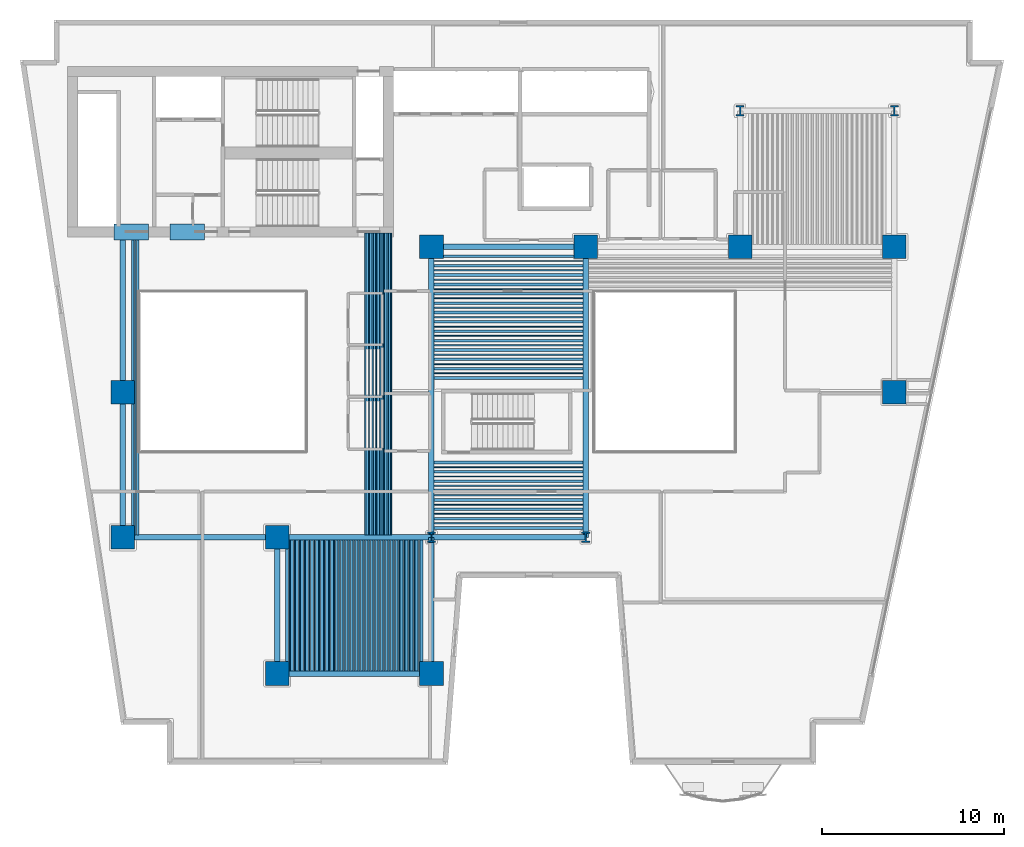
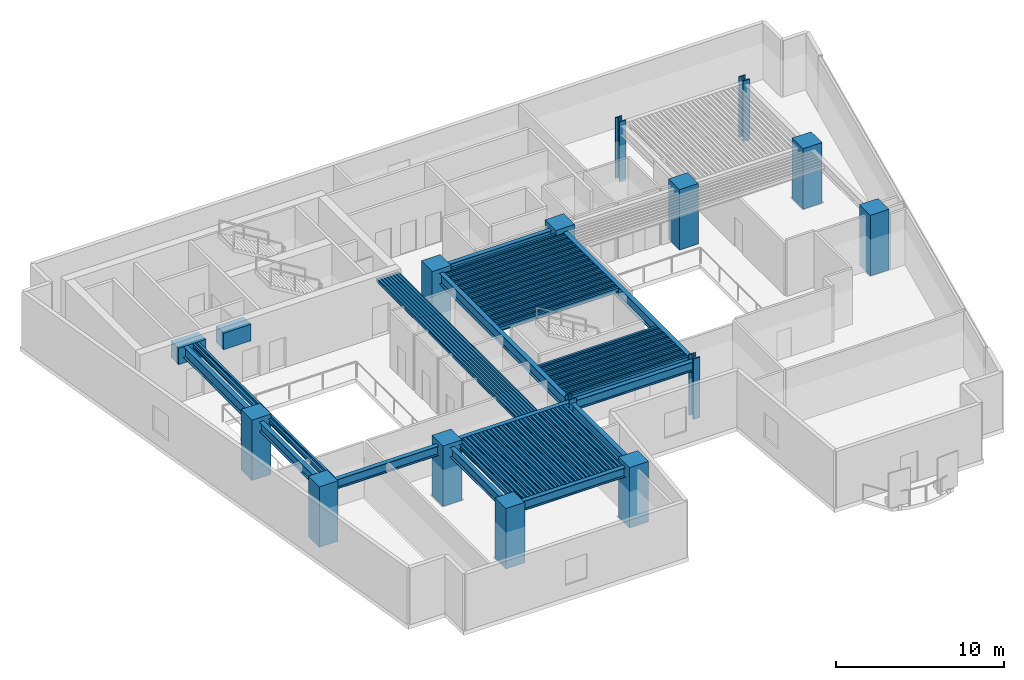
# One storey, part 1 of 11: 128 beams, 14 columns.
"""IFC4 building model written with IfcOpenShell, lengths in metres."""

from ifc_helpers import new_model, si_unit, direction, frame, origin, origin_2d, place, context, subcontext, project, spatial, rectangle, hollow_rectangle, i_section, extrude, material, material_profile, profile_set, type_object, element, save


model = new_model("IFC4")

# Units and contexts
model_context = context("Model", 3, precision=1e-05, world=origin(), true_north=direction((0.0, 1.0)))
body_context = subcontext(model_context, "Body", "Model", "MODEL_VIEW")
ifc_project = project(units=[si_unit("LENGTHUNIT", "METRE"), si_unit("AREAUNIT", "SQUARE_METRE"), si_unit("VOLUMEUNIT", "CUBIC_METRE"), si_unit("PLANEANGLEUNIT", "RADIAN"), si_unit("MASSUNIT", "GRAM", prefix="KILO")], contexts=[model_context])

# Site, building, storey
site_placement = place(None, origin())
site = spatial("IfcSite", under=ifc_project, at=site_placement, CompositionType="ELEMENT")
building_placement = place(site_placement, origin())
building = spatial("IfcBuilding", under=site, at=building_placement, Name="Caeloran Harvest Quay", CompositionType="ELEMENT")
storey_placement = place(building_placement, frame((0.0, 0.0, 44.60009765625)))
storey = spatial("IfcBuildingStorey", under=building, at=storey_placement, Name="L10", CompositionType="ELEMENT", Elevation=44.60009765625)

# Columns
ifc_material_1 = material(Name="Concrete C80/95", Category="concrete")
ifc_material_profile_1 = material_profile(ifc_material_1, rectangle(XDim=1.300048828125, YDim=1.300048828125, at=origin_2d()), Name="RC 1300x1300")
ifc_profile_set_1 = profile_set([ifc_material_profile_1], Name="Concrete C80/95")
column_type_1 = type_object("IfcColumnType", Name="COL-MC-2-RC_1300x1300", PredefinedType="COLUMN", material=ifc_profile_set_1)
for number, where, z_axis, x_axis, name in (
    (1, (8.5, 15.0, 0.0), (0.0, 0.0, 1.0), (1.0, 0.0, 0.0), "L10 Structural Column (8.5, 15.0)"),
    (2, (8.5, 23.0, 0.0), (0.0, 0.0, 1.0), (1.0, 0.0, 0.0), "L10 Structural Column (8.5, 23.0)"),
    (3, (17.0, 7.5, 0.0), (0.0, 0.0, 1.0), (1.0, 0.0, 0.0), "L10 Structural Column (17.0, 7.5)"),
    (4, (17.0, 15.0, 0.0), (0.0, 0.0, 1.0), (1.0, 0.0, 0.0), "L10 Structural Column (17.0, 15.0)"),
    (5, (25.5, 7.5, 0.0), (0.0, 0.0, 1.0), (1.0, 0.0, 0.0), "L10 Structural Column (25.5, 7.5)"),
    (6, (25.5, 31.0, 0.0), (0.0, 0.0, 1.0), (1.0, 0.0, 0.0), "L10 Structural Column (25.5, 31.0)"),
    (7, (34.0, 31.0, 0.0), (0.0, 0.0, 1.0), (1.0, 0.0, 0.0), "L10 Structural Column (34.0, 31.0)"),
    (8, (42.5, 31.0, 0.0), (0.0, 0.0, 1.0), (1.0, 0.0, 0.0), "L10 Structural Column (42.5, 31.0)"),
    (9, (51.0, 23.0, 0.0), (0.0, 0.0, 1.0), (1.0, 0.0, 0.0), "L10 Structural Column (51.0, 23.0)"),
    (10, (51.0, 31.0, 0.0), (0.0, 0.0, 1.0), (1.0, 0.0, 0.0), "L10 Structural Column (51.0, 31.0)"),
):
    element("IfcColumn", number, at=place(storey_placement, frame(where, z_axis=z_axis, x_axis=x_axis)), inside=storey, type_object=column_type_1, Name=name, PredefinedType="COLUMN", context=body_context, shape_type="SweptSolid", body=[
        extrude(rectangle(XDim=1.300048828125, YDim=1.300048828125, at=origin_2d()), origin(), (0.0, 0.0, 1.0), 4.39990234375),
    ])
ifc_material_2 = material(Name="Steel HISTAR 460", Category="steel")
ifc_material_profile_2 = material_profile(ifc_material_2, i_section(OverallWidth=0.4541015625, OverallDepth=0.569091796875, WebThickness=0.077880859375, FlangeThickness=0.080078125, FilletRadius=0.014892578125, at=origin_2d()), Name="HD 400x1086")
ifc_profile_set_2 = profile_set([ifc_material_profile_2], Name="Steel HISTAR 460")
column_type_2 = type_object("IfcColumnType", Name="COL-SC-1-HD_400x1086", PredefinedType="COLUMN", material=ifc_profile_set_2)
for number, where, z_axis, x_axis, name in (
    (11, (25.5, 15.0, 0.0), (0.0, 0.0, 1.0), (1.0, 0.0, 0.0), "L10 Structural Column (25.5, 15.0)"),
    (12, (34.0, 15.0, 0.0), (0.0, 0.0, 1.0), (1.0, 0.0, 0.0), "L10 Structural Column (34.0, 15.0)"),
    (13, (42.5, 38.5, 0.0), (0.0, 0.0, 1.0), (1.0, 0.0, 0.0), "L10 Structural Column (42.5, 38.5)"),
    (14, (51.0, 38.5, 0.0), (0.0, 0.0, 1.0), (1.0, 0.0, 0.0), "L10 Structural Column (51.0, 38.5)"),
):
    element("IfcColumn", number, at=place(storey_placement, frame(where, z_axis=z_axis, x_axis=x_axis)), inside=storey, type_object=column_type_2, Name=name, PredefinedType="COLUMN", context=body_context, shape_type="SweptSolid", body=[
        extrude(i_section(OverallWidth=0.4541015625, OverallDepth=0.569091796875, WebThickness=0.077880859375, FlangeThickness=0.080078125, FilletRadius=0.014892578125, at=origin_2d()), origin(), (0.0, 0.0, 1.0), 4.39990234375),
    ])

# Beams
ifc_material_profile_3 = material_profile(ifc_material_1, rectangle(XDim=0.89990234375, YDim=1.199951171875, at=origin_2d()), Name="RC 900x1200")
ifc_profile_set_3 = profile_set([ifc_material_profile_3], Name="Concrete C80/95")
beam_type_1 = type_object("IfcBeamType", Name="BM-CB-1-RC_900x1200", PredefinedType="LINTEL", material=ifc_profile_set_3)
for number, where, z_axis, x_axis, name in (
    (15, (8.0, 31.824951171875, 3.5), (1.0, 0.0, 0.0), (0.0, 1.0, 0.0), "L10 Core Coupling Beam 1"),
    (16, (11.10009765625, 31.824951171875, 3.5), (1.0, 0.0, 0.0), (0.0, 1.0, 0.0), "L10 Core Coupling Beam 2"),
):
    element("IfcBeam", number, at=place(storey_placement, frame(where, z_axis=z_axis, x_axis=x_axis)), inside=storey, type_object=beam_type_1, Name=name, PredefinedType="LINTEL", context=body_context, shape_type="SweptSolid", body=[
        extrude(rectangle(XDim=0.89990234375, YDim=1.199951171875, at=origin_2d()), origin(), (0.0, 0.0, 1.0), 1.89990234375),
    ])
ifc_material_3 = material(Name="Steel S355J2", Category="steel")
ifc_material_profile_4 = material_profile(ifc_material_3, i_section(OverallWidth=0.300048828125, OverallDepth=0.800048828125, WebThickness=0.017578125, FlangeThickness=0.032958984375, FilletRadius=0.030029296875, at=origin_2d()), Name="HE 800 B")
ifc_profile_set_4 = profile_set([ifc_material_profile_4], Name="Steel S355J2")
beam_type_2 = type_object("IfcBeamType", Name="BM-PG-1-HE_800_B", PredefinedType="BEAM", material=ifc_profile_set_4)
beam_1_placement = place(storey_placement, frame((8.5, 23.0, 3.699951171875), z_axis=(0.0, 1.0, 0.0), x_axis=(-1.0, 0.0, 0.0)))
element("IfcBeam", 17, at=beam_1_placement, inside=storey, type_object=beam_type_2, Name="L10 Core South Tie Girder X=8.5", PredefinedType="BEAM", context=body_context, shape_type="SweptSolid", body=[
    extrude(i_section(OverallWidth=0.300048828125, OverallDepth=0.800048828125, WebThickness=0.017578125, FlangeThickness=0.032958984375, FilletRadius=0.030029296875, at=origin_2d()), origin(), (0.0, 0.0, 1.0), 8.77490234375),
])
for number, where, z_axis, x_axis, name in (
    (18, (25.5, 15.0, 3.699951171875), (0.0, 1.0, 0.0), (-1.0, 0.0, 0.0), "L10 Primary North-South Girder X=25.5"),
    (19, (34.0, 15.0, 3.699951171875), (0.0, 1.0, 0.0), (-1.0, 0.0, 0.0), "L10 Primary North-South Girder X=34.0"),
):
    element("IfcBeam", number, at=place(storey_placement, frame(where, z_axis=z_axis, x_axis=x_axis)), inside=storey, type_object=beam_type_2, Name=name, PredefinedType="BEAM", context=body_context, shape_type="SweptSolid", body=[
        extrude(i_section(OverallWidth=0.300048828125, OverallDepth=0.800048828125, WebThickness=0.017578125, FlangeThickness=0.032958984375, FilletRadius=0.030029296875, at=origin_2d()), origin(), (0.0, 0.0, 1.0), 16.0),
    ])
ifc_material_profile_5 = material_profile(ifc_material_3, i_section(OverallWidth=0.300048828125, OverallDepth=0.699951171875, WebThickness=0.01708984375, FlangeThickness=0.031982421875, FilletRadius=0.027099609375, at=origin_2d()), Name="HE 700 B")
ifc_profile_set_5 = profile_set([ifc_material_profile_5], Name="Steel S355J2")
beam_type_3 = type_object("IfcBeamType", Name="BM-PG-2-HE_700_B", PredefinedType="BEAM", material=ifc_profile_set_5)
for number, where, z_axis, x_axis, name in (
    (20, (17.0, 7.5, 3.75), (1.0, 0.0, 0.0), (0.0, 1.0, 0.0), "L10 Primary East-West Girder Y=7.5"),
    (21, (8.5, 15.0, 3.75), (1.0, 0.0, 0.0), (0.0, 1.0, 0.0), "L10 Primary East-West Girder Y=15.0"),
    (22, (17.0, 15.0, 3.75), (1.0, 0.0, 0.0), (0.0, 1.0, 0.0), "L10 Primary East-West Girder Y=15.0"),
    (23, (25.5, 15.0, 3.75), (1.0, 0.0, 0.0), (0.0, 1.0, 0.0), "L10 Primary East-West Girder Y=15.0"),
    (24, (25.5, 31.0, 3.75), (1.0, 0.0, 0.0), (0.0, 1.0, 0.0), "L10 Primary East-West Girder Y=31.0"),
):
    element("IfcBeam", number, at=place(storey_placement, frame(where, z_axis=z_axis, x_axis=x_axis)), inside=storey, type_object=beam_type_3, Name=name, PredefinedType="BEAM", context=body_context, shape_type="SweptSolid", body=[
        extrude(i_section(OverallWidth=0.300048828125, OverallDepth=0.699951171875, WebThickness=0.01708984375, FlangeThickness=0.031982421875, FilletRadius=0.027099609375, at=origin_2d()), origin(), (0.0, 0.0, 1.0), 8.5),
    ])
beam_2_placement = place(storey_placement, frame((8.5, 15.0, 3.75), z_axis=(0.0, 1.0, 0.0), x_axis=(-1.0, 0.0, 0.0)))
element("IfcBeam", 25, at=beam_2_placement, inside=storey, type_object=beam_type_3, Name="L10 Primary North-South Girder X=8.5", PredefinedType="BEAM", context=body_context, shape_type="SweptSolid", body=[
    extrude(i_section(OverallWidth=0.300048828125, OverallDepth=0.699951171875, WebThickness=0.01708984375, FlangeThickness=0.031982421875, FilletRadius=0.027099609375, at=origin_2d()), origin(), (0.0, 0.0, 1.0), 8.0),
])
for number, where, z_axis, x_axis, name in (
    (26, (17.0, 7.5, 3.75), (0.0, 1.0, 0.0), (-1.0, 0.0, 0.0), "L10 Primary North-South Girder X=17.0"),
    (27, (25.5, 7.5, 3.75), (0.0, 1.0, 0.0), (-1.0, 0.0, 0.0), "L10 Primary North-South Girder X=25.5"),
):
    element("IfcBeam", number, at=place(storey_placement, frame(where, z_axis=z_axis, x_axis=x_axis)), inside=storey, type_object=beam_type_3, Name=name, PredefinedType="BEAM", context=body_context, shape_type="SweptSolid", body=[
        extrude(i_section(OverallWidth=0.300048828125, OverallDepth=0.699951171875, WebThickness=0.01708984375, FlangeThickness=0.031982421875, FilletRadius=0.027099609375, at=origin_2d()), origin(), (0.0, 0.0, 1.0), 7.5),
    ])
ifc_material_profile_6 = material_profile(ifc_material_3, i_section(OverallWidth=0.14990234375, OverallDepth=0.300048828125, WebThickness=0.007080078125, FlangeThickness=0.0107421875, FilletRadius=0.014892578125, at=origin_2d()), Name="IPE 300")
ifc_profile_set_6 = profile_set([ifc_material_profile_6], Name="Steel S355J2")
beam_type_4 = type_object("IfcBeamType", Name="BM-SB-6-IPE_300", PredefinedType="JOIST", material=ifc_profile_set_6)
for number, where, z_axis, x_axis, name in (
    (28, (17.54833984375, 7.64501953125, 3.949951171875), (0.0, 1.0, 0.0), (-1.0, 0.0, 0.0), "L10 Secondary Composite Joist"),
    (29, (17.822509765625, 7.64501953125, 3.949951171875), (0.0, 1.0, 0.0), (-1.0, 0.0, 0.0), "L10 Secondary Composite Joist"),
    (30, (18.0966796875, 7.64501953125, 3.949951171875), (0.0, 1.0, 0.0), (-1.0, 0.0, 0.0), "L10 Secondary Composite Joist"),
    (31, (18.37109375, 7.64501953125, 3.949951171875), (0.0, 1.0, 0.0), (-1.0, 0.0, 0.0), "L10 Secondary Composite Joist"),
    (32, (18.645263671875, 7.64501953125, 3.949951171875), (0.0, 1.0, 0.0), (-1.0, 0.0, 0.0), "L10 Secondary Composite Joist"),
    (33, (18.91943359375, 7.64501953125, 3.949951171875), (0.0, 1.0, 0.0), (-1.0, 0.0, 0.0), "L10 Secondary Composite Joist"),
    (34, (19.193603515625, 7.64501953125, 3.949951171875), (0.0, 1.0, 0.0), (-1.0, 0.0, 0.0), "L10 Secondary Composite Joist"),
    (35, (19.4677734375, 7.64501953125, 3.949951171875), (0.0, 1.0, 0.0), (-1.0, 0.0, 0.0), "L10 Secondary Composite Joist"),
    (36, (19.741943359375, 7.64501953125, 3.949951171875), (0.0, 1.0, 0.0), (-1.0, 0.0, 0.0), "L10 Secondary Composite Joist"),
    (37, (20.01611328125, 7.64501953125, 3.949951171875), (0.0, 1.0, 0.0), (-1.0, 0.0, 0.0), "L10 Secondary Composite Joist"),
    (38, (20.290283203125, 7.64501953125, 3.949951171875), (0.0, 1.0, 0.0), (-1.0, 0.0, 0.0), "L10 Secondary Composite Joist"),
    (39, (20.564453125, 7.64501953125, 3.949951171875), (0.0, 1.0, 0.0), (-1.0, 0.0, 0.0), "L10 Secondary Composite Joist"),
    (40, (20.838623046875, 7.64501953125, 3.949951171875), (0.0, 1.0, 0.0), (-1.0, 0.0, 0.0), "L10 Secondary Composite Joist"),
    (41, (21.11279296875, 7.64501953125, 3.949951171875), (0.0, 1.0, 0.0), (-1.0, 0.0, 0.0), "L10 Secondary Composite Joist"),
    (42, (21.38720703125, 7.64501953125, 3.949951171875), (0.0, 1.0, 0.0), (-1.0, 0.0, 0.0), "L10 Secondary Composite Joist"),
    (43, (21.661376953125, 7.64501953125, 3.949951171875), (0.0, 1.0, 0.0), (-1.0, 0.0, 0.0), "L10 Secondary Composite Joist"),
    (44, (21.935546875, 7.64501953125, 3.949951171875), (0.0, 1.0, 0.0), (-1.0, 0.0, 0.0), "L10 Secondary Composite Joist"),
    (45, (22.209716796875, 7.64501953125, 3.949951171875), (0.0, 1.0, 0.0), (-1.0, 0.0, 0.0), "L10 Secondary Composite Joist"),
    (46, (22.48388671875, 7.64501953125, 3.949951171875), (0.0, 1.0, 0.0), (-1.0, 0.0, 0.0), "L10 Secondary Composite Joist"),
    (47, (22.758056640625, 7.64501953125, 3.949951171875), (0.0, 1.0, 0.0), (-1.0, 0.0, 0.0), "L10 Secondary Composite Joist"),
    (48, (23.0322265625, 7.64501953125, 3.949951171875), (0.0, 1.0, 0.0), (-1.0, 0.0, 0.0), "L10 Secondary Composite Joist"),
    (49, (23.306396484375, 7.64501953125, 3.949951171875), (0.0, 1.0, 0.0), (-1.0, 0.0, 0.0), "L10 Secondary Composite Joist"),
    (50, (23.58056640625, 7.64501953125, 3.949951171875), (0.0, 1.0, 0.0), (-1.0, 0.0, 0.0), "L10 Secondary Composite Joist"),
    (51, (23.854736328125, 7.64501953125, 3.949951171875), (0.0, 1.0, 0.0), (-1.0, 0.0, 0.0), "L10 Secondary Composite Joist"),
    (52, (24.12890625, 7.64501953125, 3.949951171875), (0.0, 1.0, 0.0), (-1.0, 0.0, 0.0), "L10 Secondary Composite Joist"),
    (53, (24.4033203125, 7.64501953125, 3.949951171875), (0.0, 1.0, 0.0), (-1.0, 0.0, 0.0), "L10 Secondary Composite Joist"),
    (54, (24.677490234375, 7.64501953125, 3.949951171875), (0.0, 1.0, 0.0), (-1.0, 0.0, 0.0), "L10 Secondary Composite Joist"),
    (55, (24.95166015625, 7.64501953125, 3.949951171875), (0.0, 1.0, 0.0), (-1.0, 0.0, 0.0), "L10 Secondary Composite Joist"),
):
    element("IfcBeam", number, at=place(storey_placement, frame(where, z_axis=z_axis, x_axis=x_axis)), inside=storey, type_object=beam_type_4, Name=name, PredefinedType="JOIST", context=body_context, shape_type="SweptSolid", body=[
        extrude(i_section(OverallWidth=0.14990234375, OverallDepth=0.300048828125, WebThickness=0.007080078125, FlangeThickness=0.0107421875, FilletRadius=0.014892578125, at=origin_2d()), origin(), (0.0, 0.0, 1.0), 7.2099609375),
    ])
for number, where, z_axis, x_axis, name in (
    (56, (9.04833984375, 15.14501953125, 3.949951171875), (0.0, 1.0, 0.0), (-1.0, 0.0, 0.0), "L10 Secondary Composite Joist"),
    (57, (9.322509765625, 15.14501953125, 3.949951171875), (0.0, 1.0, 0.0), (-1.0, 0.0, 0.0), "L10 Secondary Composite Joist"),
    (58, (21.954833984375, 15.14501953125, 3.949951171875), (0.0, 1.0, 0.0), (-1.0, 0.0, 0.0), "L10 Secondary Composite Joist"),
    (59, (22.161376953125, 15.14501953125, 3.949951171875), (0.0, 1.0, 0.0), (-1.0, 0.0, 0.0), "L10 Secondary Composite Joist"),
    (60, (22.36767578125, 15.14501953125, 3.949951171875), (0.0, 1.0, 0.0), (-1.0, 0.0, 0.0), "L10 Secondary Composite Joist"),
    (61, (22.57421875, 15.14501953125, 3.949951171875), (0.0, 1.0, 0.0), (-1.0, 0.0, 0.0), "L10 Secondary Composite Joist"),
    (62, (22.780517578125, 15.14501953125, 3.949951171875), (0.0, 1.0, 0.0), (-1.0, 0.0, 0.0), "L10 Secondary Composite Joist"),
    (63, (22.987060546875, 15.14501953125, 3.949951171875), (0.0, 1.0, 0.0), (-1.0, 0.0, 0.0), "L10 Secondary Composite Joist"),
    (64, (23.193603515625, 15.14501953125, 3.949951171875), (0.0, 1.0, 0.0), (-1.0, 0.0, 0.0), "L10 Secondary Composite Joist"),
):
    element("IfcBeam", number, at=place(storey_placement, frame(where, z_axis=z_axis, x_axis=x_axis)), inside=storey, type_object=beam_type_4, Name=name, PredefinedType="JOIST", context=body_context, shape_type="SweptSolid", body=[
        extrude(i_section(OverallWidth=0.14990234375, OverallDepth=0.300048828125, WebThickness=0.007080078125, FlangeThickness=0.0107421875, FilletRadius=0.014892578125, at=origin_2d()), origin(), (0.0, 0.0, 1.0), 16.6298828125),
    ])
for number, where, z_axis, x_axis, name in (
    (65, (25.64501953125, 15.51611328125, 3.949951171875), (1.0, 0.0, 0.0), (0.0, 1.0, 0.0), "L10 Secondary East-West Composite Joist"),
    (66, (25.64501953125, 16.0322265625, 3.949951171875), (1.0, 0.0, 0.0), (0.0, 1.0, 0.0), "L10 Secondary East-West Composite Joist"),
    (67, (25.64501953125, 16.54833984375, 3.949951171875), (1.0, 0.0, 0.0), (0.0, 1.0, 0.0), "L10 Secondary East-West Composite Joist"),
    (68, (25.64501953125, 17.064453125, 3.949951171875), (1.0, 0.0, 0.0), (0.0, 1.0, 0.0), "L10 Secondary East-West Composite Joist"),
    (69, (25.64501953125, 17.58056640625, 3.949951171875), (1.0, 0.0, 0.0), (0.0, 1.0, 0.0), "L10 Secondary East-West Composite Joist"),
    (70, (25.64501953125, 18.0966796875, 3.949951171875), (1.0, 0.0, 0.0), (0.0, 1.0, 0.0), "L10 Secondary East-West Composite Joist"),
    (71, (25.64501953125, 18.61279296875, 3.949951171875), (1.0, 0.0, 0.0), (0.0, 1.0, 0.0), "L10 Secondary East-West Composite Joist"),
    (72, (25.64501953125, 19.12890625, 3.949951171875), (1.0, 0.0, 0.0), (0.0, 1.0, 0.0), "L10 Secondary East-West Composite Joist"),
    (73, (25.64501953125, 23.774169921875, 3.949951171875), (1.0, 0.0, 0.0), (0.0, 1.0, 0.0), "L10 Secondary East-West Composite Joist"),
    (74, (25.64501953125, 24.290283203125, 3.949951171875), (1.0, 0.0, 0.0), (0.0, 1.0, 0.0), "L10 Secondary East-West Composite Joist"),
    (75, (25.64501953125, 24.806396484375, 3.949951171875), (1.0, 0.0, 0.0), (0.0, 1.0, 0.0), "L10 Secondary East-West Composite Joist"),
    (76, (25.64501953125, 25.322509765625, 3.949951171875), (1.0, 0.0, 0.0), (0.0, 1.0, 0.0), "L10 Secondary East-West Composite Joist"),
    (77, (25.64501953125, 25.838623046875, 3.949951171875), (1.0, 0.0, 0.0), (0.0, 1.0, 0.0), "L10 Secondary East-West Composite Joist"),
    (78, (25.64501953125, 26.354736328125, 3.949951171875), (1.0, 0.0, 0.0), (0.0, 1.0, 0.0), "L10 Secondary East-West Composite Joist"),
    (79, (25.64501953125, 26.87109375, 3.949951171875), (1.0, 0.0, 0.0), (0.0, 1.0, 0.0), "L10 Secondary East-West Composite Joist"),
    (80, (25.64501953125, 27.38720703125, 3.949951171875), (1.0, 0.0, 0.0), (0.0, 1.0, 0.0), "L10 Secondary East-West Composite Joist"),
    (81, (25.64501953125, 27.9033203125, 3.949951171875), (1.0, 0.0, 0.0), (0.0, 1.0, 0.0), "L10 Secondary East-West Composite Joist"),
    (82, (25.64501953125, 28.41943359375, 3.949951171875), (1.0, 0.0, 0.0), (0.0, 1.0, 0.0), "L10 Secondary East-West Composite Joist"),
    (83, (25.64501953125, 28.935546875, 3.949951171875), (1.0, 0.0, 0.0), (0.0, 1.0, 0.0), "L10 Secondary East-West Composite Joist"),
    (84, (25.64501953125, 29.45166015625, 3.949951171875), (1.0, 0.0, 0.0), (0.0, 1.0, 0.0), "L10 Secondary East-West Composite Joist"),
    (85, (25.64501953125, 29.9677734375, 3.949951171875), (1.0, 0.0, 0.0), (0.0, 1.0, 0.0), "L10 Secondary East-West Composite Joist"),
    (86, (25.64501953125, 30.48388671875, 3.949951171875), (1.0, 0.0, 0.0), (0.0, 1.0, 0.0), "L10 Secondary East-West Composite Joist"),
):
    element("IfcBeam", number, at=place(storey_placement, frame(where, z_axis=z_axis, x_axis=x_axis)), inside=storey, type_object=beam_type_4, Name=name, PredefinedType="JOIST", context=body_context, shape_type="SweptSolid", body=[
        extrude(i_section(OverallWidth=0.14990234375, OverallDepth=0.300048828125, WebThickness=0.007080078125, FlangeThickness=0.0107421875, FilletRadius=0.014892578125, at=origin_2d()), origin(), (0.0, 0.0, 1.0), 8.2099609375),
    ])
ifc_material_profile_7 = material_profile(ifc_material_3, hollow_rectangle(XDim=0.080078125, YDim=0.199951171875, WallThickness=0.006103515625, InnerFilletRadius=0.006103515625, OuterFilletRadius=0.009033203125, at=origin_2d()), Name="RHS 200x80x6")
ifc_profile_set_7 = profile_set([ifc_material_profile_7], Name="Steel S355J2")
beam_type_5 = type_object("IfcBeamType", Name="BM-SB-7-RHS_200x80x6", PredefinedType="JOIST", material=ifc_profile_set_7)
for number, where, z_axis, x_axis, name in (
    (87, (17.685546875, 7.64501953125, 4.0), (0.0, 1.0, 0.0), (-1.0, 0.0, 0.0), "L10 Secondary Composite Joist"),
    (88, (17.959716796875, 7.64501953125, 4.0), (0.0, 1.0, 0.0), (-1.0, 0.0, 0.0), "L10 Secondary Composite Joist"),
    (89, (18.23388671875, 7.64501953125, 4.0), (0.0, 1.0, 0.0), (-1.0, 0.0, 0.0), "L10 Secondary Composite Joist"),
    (90, (18.508056640625, 7.64501953125, 4.0), (0.0, 1.0, 0.0), (-1.0, 0.0, 0.0), "L10 Secondary Composite Joist"),
    (91, (18.7822265625, 7.64501953125, 4.0), (0.0, 1.0, 0.0), (-1.0, 0.0, 0.0), "L10 Secondary Composite Joist"),
    (92, (19.056396484375, 7.64501953125, 4.0), (0.0, 1.0, 0.0), (-1.0, 0.0, 0.0), "L10 Secondary Composite Joist"),
    (93, (19.33056640625, 7.64501953125, 4.0), (0.0, 1.0, 0.0), (-1.0, 0.0, 0.0), "L10 Secondary Composite Joist"),
    (94, (19.604736328125, 7.64501953125, 4.0), (0.0, 1.0, 0.0), (-1.0, 0.0, 0.0), "L10 Secondary Composite Joist"),
    (95, (19.87890625, 7.64501953125, 4.0), (0.0, 1.0, 0.0), (-1.0, 0.0, 0.0), "L10 Secondary Composite Joist"),
    (96, (20.1533203125, 7.64501953125, 4.0), (0.0, 1.0, 0.0), (-1.0, 0.0, 0.0), "L10 Secondary Composite Joist"),
    (97, (20.427490234375, 7.64501953125, 4.0), (0.0, 1.0, 0.0), (-1.0, 0.0, 0.0), "L10 Secondary Composite Joist"),
    (98, (20.70166015625, 7.64501953125, 4.0), (0.0, 1.0, 0.0), (-1.0, 0.0, 0.0), "L10 Secondary Composite Joist"),
    (99, (20.975830078125, 7.64501953125, 4.0), (0.0, 1.0, 0.0), (-1.0, 0.0, 0.0), "L10 Secondary Composite Joist"),
    (100, (21.25, 7.64501953125, 4.0), (0.0, 1.0, 0.0), (-1.0, 0.0, 0.0), "L10 Secondary Composite Joist"),
    (101, (21.524169921875, 7.64501953125, 4.0), (0.0, 1.0, 0.0), (-1.0, 0.0, 0.0), "L10 Secondary Composite Joist"),
    (102, (21.79833984375, 7.64501953125, 4.0), (0.0, 1.0, 0.0), (-1.0, 0.0, 0.0), "L10 Secondary Composite Joist"),
    (103, (22.072509765625, 7.64501953125, 4.0), (0.0, 1.0, 0.0), (-1.0, 0.0, 0.0), "L10 Secondary Composite Joist"),
    (104, (22.3466796875, 7.64501953125, 4.0), (0.0, 1.0, 0.0), (-1.0, 0.0, 0.0), "L10 Secondary Composite Joist"),
    (105, (22.62109375, 7.64501953125, 4.0), (0.0, 1.0, 0.0), (-1.0, 0.0, 0.0), "L10 Secondary Composite Joist"),
    (106, (22.895263671875, 7.64501953125, 4.0), (0.0, 1.0, 0.0), (-1.0, 0.0, 0.0), "L10 Secondary Composite Joist"),
    (107, (23.16943359375, 7.64501953125, 4.0), (0.0, 1.0, 0.0), (-1.0, 0.0, 0.0), "L10 Secondary Composite Joist"),
    (108, (23.443603515625, 7.64501953125, 4.0), (0.0, 1.0, 0.0), (-1.0, 0.0, 0.0), "L10 Secondary Composite Joist"),
    (109, (23.7177734375, 7.64501953125, 4.0), (0.0, 1.0, 0.0), (-1.0, 0.0, 0.0), "L10 Secondary Composite Joist"),
    (110, (23.991943359375, 7.64501953125, 4.0), (0.0, 1.0, 0.0), (-1.0, 0.0, 0.0), "L10 Secondary Composite Joist"),
    (111, (24.26611328125, 7.64501953125, 4.0), (0.0, 1.0, 0.0), (-1.0, 0.0, 0.0), "L10 Secondary Composite Joist"),
    (112, (24.540283203125, 7.64501953125, 4.0), (0.0, 1.0, 0.0), (-1.0, 0.0, 0.0), "L10 Secondary Composite Joist"),
    (113, (24.814453125, 7.64501953125, 4.0), (0.0, 1.0, 0.0), (-1.0, 0.0, 0.0), "L10 Secondary Composite Joist"),
):
    element("IfcBeam", number, at=place(storey_placement, frame(where, z_axis=z_axis, x_axis=x_axis)), inside=storey, type_object=beam_type_5, Name=name, PredefinedType="JOIST", context=body_context, shape_type="SweptSolid", body=[
        extrude(hollow_rectangle(XDim=0.080078125, YDim=0.199951171875, WallThickness=0.006103515625, InnerFilletRadius=0.006103515625, OuterFilletRadius=0.009033203125, at=origin_2d()), origin(), (0.0, 0.0, 1.0), 7.2099609375),
    ])
for number, where, z_axis, x_axis, name in (
    (114, (9.185546875, 15.14501953125, 4.0), (0.0, 1.0, 0.0), (-1.0, 0.0, 0.0), "L10 Secondary Composite Joist"),
    (115, (21.8515625, 15.14501953125, 4.0), (0.0, 1.0, 0.0), (-1.0, 0.0, 0.0), "L10 Secondary Composite Joist"),
    (116, (22.05810546875, 15.14501953125, 4.0), (0.0, 1.0, 0.0), (-1.0, 0.0, 0.0), "L10 Secondary Composite Joist"),
    (117, (22.264404296875, 15.14501953125, 4.0), (0.0, 1.0, 0.0), (-1.0, 0.0, 0.0), "L10 Secondary Composite Joist"),
    (118, (22.470947265625, 15.14501953125, 4.0), (0.0, 1.0, 0.0), (-1.0, 0.0, 0.0), "L10 Secondary Composite Joist"),
    (119, (22.677490234375, 15.14501953125, 4.0), (0.0, 1.0, 0.0), (-1.0, 0.0, 0.0), "L10 Secondary Composite Joist"),
    (120, (22.8837890625, 15.14501953125, 4.0), (0.0, 1.0, 0.0), (-1.0, 0.0, 0.0), "L10 Secondary Composite Joist"),
    (121, (23.09033203125, 15.14501953125, 4.0), (0.0, 1.0, 0.0), (-1.0, 0.0, 0.0), "L10 Secondary Composite Joist"),
    (122, (23.296875, 15.14501953125, 4.0), (0.0, 1.0, 0.0), (-1.0, 0.0, 0.0), "L10 Secondary Composite Joist"),
):
    element("IfcBeam", number, at=place(storey_placement, frame(where, z_axis=z_axis, x_axis=x_axis)), inside=storey, type_object=beam_type_5, Name=name, PredefinedType="JOIST", context=body_context, shape_type="SweptSolid", body=[
        extrude(hollow_rectangle(XDim=0.080078125, YDim=0.199951171875, WallThickness=0.006103515625, InnerFilletRadius=0.006103515625, OuterFilletRadius=0.009033203125, at=origin_2d()), origin(), (0.0, 0.0, 1.0), 16.6298828125),
    ])
for number, where, z_axis, x_axis, name in (
    (123, (25.64501953125, 15.774169921875, 4.0), (1.0, 0.0, 0.0), (0.0, 1.0, 0.0), "L10 Secondary East-West Composite Joist"),
    (124, (25.64501953125, 16.290283203125, 4.0), (1.0, 0.0, 0.0), (0.0, 1.0, 0.0), "L10 Secondary East-West Composite Joist"),
    (125, (25.64501953125, 16.806396484375, 4.0), (1.0, 0.0, 0.0), (0.0, 1.0, 0.0), "L10 Secondary East-West Composite Joist"),
    (126, (25.64501953125, 17.322509765625, 4.0), (1.0, 0.0, 0.0), (0.0, 1.0, 0.0), "L10 Secondary East-West Composite Joist"),
    (127, (25.64501953125, 17.838623046875, 4.0), (1.0, 0.0, 0.0), (0.0, 1.0, 0.0), "L10 Secondary East-West Composite Joist"),
    (128, (25.64501953125, 18.354736328125, 4.0), (1.0, 0.0, 0.0), (0.0, 1.0, 0.0), "L10 Secondary East-West Composite Joist"),
    (129, (25.64501953125, 18.87109375, 4.0), (1.0, 0.0, 0.0), (0.0, 1.0, 0.0), "L10 Secondary East-West Composite Joist"),
    (130, (25.64501953125, 24.0322265625, 4.0), (1.0, 0.0, 0.0), (0.0, 1.0, 0.0), "L10 Secondary East-West Composite Joist"),
    (131, (25.64501953125, 24.54833984375, 4.0), (1.0, 0.0, 0.0), (0.0, 1.0, 0.0), "L10 Secondary East-West Composite Joist"),
    (132, (25.64501953125, 25.064453125, 4.0), (1.0, 0.0, 0.0), (0.0, 1.0, 0.0), "L10 Secondary East-West Composite Joist"),
    (133, (25.64501953125, 25.58056640625, 4.0), (1.0, 0.0, 0.0), (0.0, 1.0, 0.0), "L10 Secondary East-West Composite Joist"),
    (134, (25.64501953125, 26.0966796875, 4.0), (1.0, 0.0, 0.0), (0.0, 1.0, 0.0), "L10 Secondary East-West Composite Joist"),
    (135, (25.64501953125, 26.61279296875, 4.0), (1.0, 0.0, 0.0), (0.0, 1.0, 0.0), "L10 Secondary East-West Composite Joist"),
    (136, (25.64501953125, 27.12890625, 4.0), (1.0, 0.0, 0.0), (0.0, 1.0, 0.0), "L10 Secondary East-West Composite Joist"),
    (137, (25.64501953125, 27.645263671875, 4.0), (1.0, 0.0, 0.0), (0.0, 1.0, 0.0), "L10 Secondary East-West Composite Joist"),
    (138, (25.64501953125, 28.161376953125, 4.0), (1.0, 0.0, 0.0), (0.0, 1.0, 0.0), "L10 Secondary East-West Composite Joist"),
    (139, (25.64501953125, 28.677490234375, 4.0), (1.0, 0.0, 0.0), (0.0, 1.0, 0.0), "L10 Secondary East-West Composite Joist"),
    (140, (25.64501953125, 29.193603515625, 4.0), (1.0, 0.0, 0.0), (0.0, 1.0, 0.0), "L10 Secondary East-West Composite Joist"),
    (141, (25.64501953125, 29.709716796875, 4.0), (1.0, 0.0, 0.0), (0.0, 1.0, 0.0), "L10 Secondary East-West Composite Joist"),
    (142, (25.64501953125, 30.225830078125, 4.0), (1.0, 0.0, 0.0), (0.0, 1.0, 0.0), "L10 Secondary East-West Composite Joist"),
):
    element("IfcBeam", number, at=place(storey_placement, frame(where, z_axis=z_axis, x_axis=x_axis)), inside=storey, type_object=beam_type_5, Name=name, PredefinedType="JOIST", context=body_context, shape_type="SweptSolid", body=[
        extrude(hollow_rectangle(XDim=0.080078125, YDim=0.199951171875, WallThickness=0.006103515625, InnerFilletRadius=0.006103515625, OuterFilletRadius=0.009033203125, at=origin_2d()), origin(), (0.0, 0.0, 1.0), 8.2099609375),
    ])

save(model, "model.ifc")
